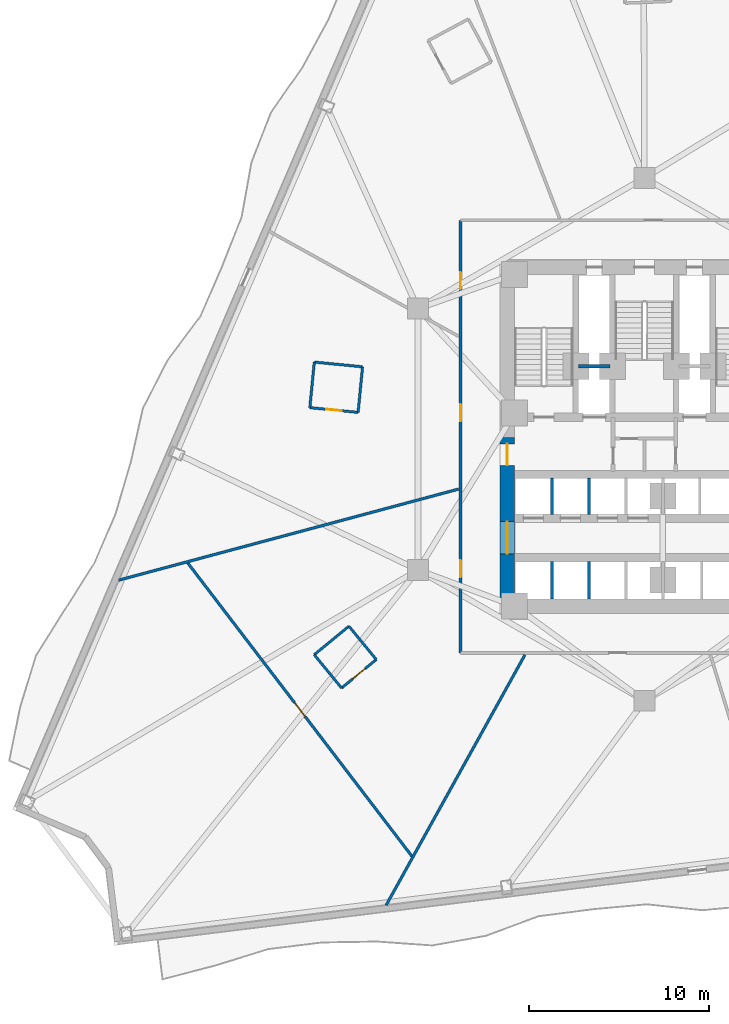
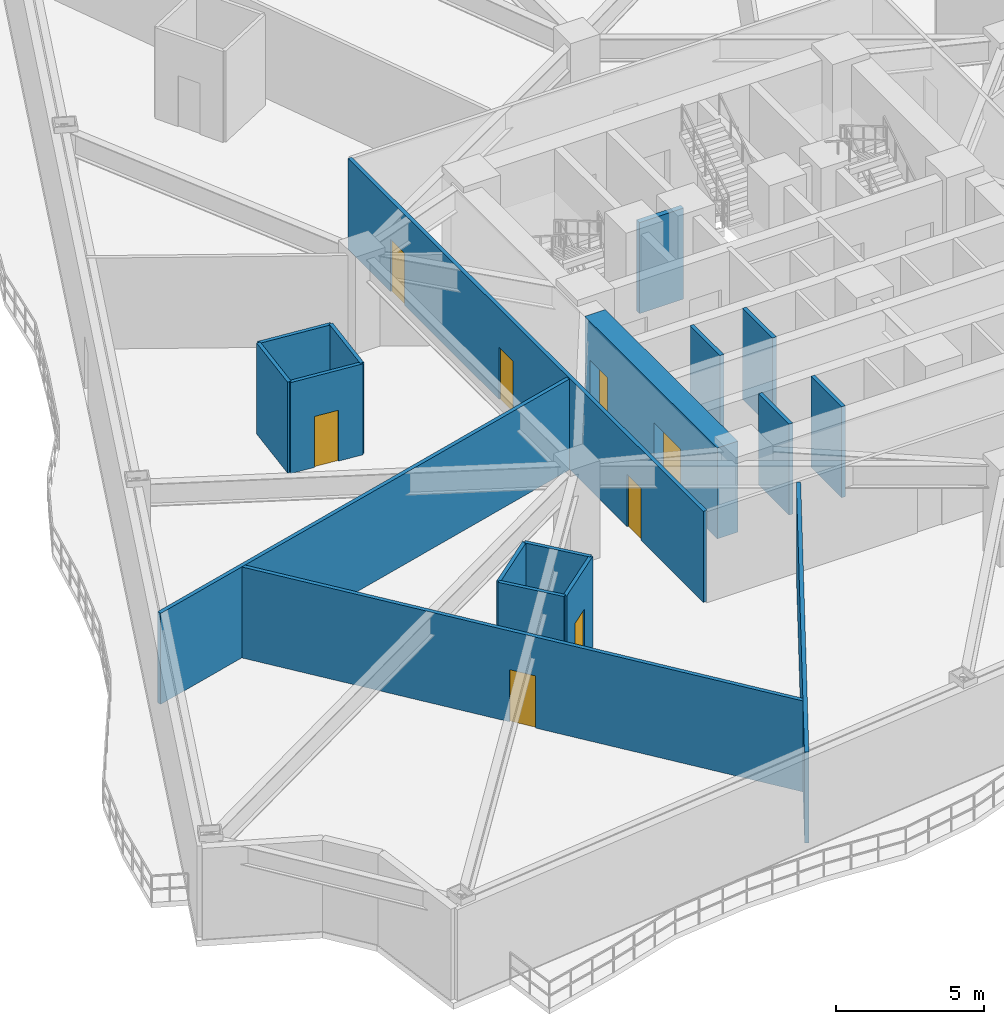
# One storey, part 3 of 12: 18 walls, 8 doors, 8 openings.
"""IFC4 building model written with IfcOpenShell, lengths in metres."""

from ifc_helpers import new_model, si_unit, direction, frame, frame_2d, origin, place, context, subcontext, project, spatial, rectangle, extrude, material, layer, layer_set, type_object, element, fill, save


model = new_model("IFC4")

# Units and contexts
model_context = context("Model", 3, precision=1e-05, world=origin(), true_north=direction((0.0, 1.0)))
body_context = subcontext(model_context, "Body", "Model", "MODEL_VIEW")
ifc_project = project(units=[si_unit("LENGTHUNIT", "METRE"), si_unit("AREAUNIT", "SQUARE_METRE"), si_unit("VOLUMEUNIT", "CUBIC_METRE"), si_unit("PLANEANGLEUNIT", "RADIAN"), si_unit("MASSUNIT", "GRAM", prefix="KILO")], contexts=[model_context])

# Site, building, storey
site_placement = place(None, origin())
site = spatial("IfcSite", under=ifc_project, at=site_placement, CompositionType="ELEMENT")
building_placement = place(site_placement, origin())
building = spatial("IfcBuilding", under=site, at=building_placement, Name="Apsidion Concourse Tower", CompositionType="ELEMENT")
storey_placement = place(building_placement, frame((0.0, 0.0, 71.0)))
storey = spatial("IfcBuildingStorey", under=building, at=storey_placement, Name="L15", CompositionType="ELEMENT", Elevation=71.0)

# Walls
ifc_material_1 = material(Name="Gypsum plasterboard partition")
ifc_layer_1 = layer(ifc_material_1, 0.139892578125)
ifc_layer_set_1 = layer_set([ifc_layer_1], Name="Gypsum plasterboard partition")
wall_type_1 = type_object("IfcWallType", Name="WL-INT-PAR-140", PredefinedType="PARTITIONING", material=ifc_layer_set_1)
wall_1_placement = place(storey_placement, frame((-16.39208984375, -10.3701171875, 0.0), z_axis=(0.0, 0.0, 1.0), x_axis=(-0.772758888186, -0.634699693342, 0.0)))
element("IfcWall", 1, at=wall_1_placement, inside=storey, type_object=wall_type_1, Name="L15 Interior Partition WL-L15-POD-HKAWC-S1", PredefinedType="PARTITIONING", context=body_context, shape_type="SweptSolid", body=[
    extrude(rectangle(XDim=2.489990234375, YDim=0.139892578125, at=frame_2d((1.2451171875, 0.0))), origin(), (0.0, 0.0, 1.0), 3.75),
])
wall_2_placement = place(storey_placement, frame((-18.316162109375, -11.950439453125, 0.0), z_axis=(0.0, 0.0, 1.0), x_axis=(0.634732888507, -0.772731622394, 0.0)))
element("IfcWall", 2, at=wall_2_placement, inside=storey, type_object=wall_type_1, Name="L15 Interior Partition WL-L15-POD-HKAWC-S2", PredefinedType="PARTITIONING", context=body_context, shape_type="SweptSolid", body=[
    extrude(rectangle(XDim=2.39013671875, YDim=0.139892578125, at=frame_2d((1.195068359375, 0.0))), origin(), (0.0, 0.0, 1.0), 3.75),
])

# Wall, opening, door
wall_3_placement = place(storey_placement, frame((-16.799072265625, -13.79736328125, 0.0), z_axis=(0.0, 0.0, 1.0), x_axis=(0.772710796724, 0.634758241085, 0.0)))
wall_3 = element("IfcWall", 3, at=wall_3_placement, inside=storey, type_object=wall_type_1, Name="L15 Interior Partition WL-L15-POD-HKAWC-S3", PredefinedType="PARTITIONING", context=body_context, shape_type="SweptSolid", body=[
    extrude(rectangle(XDim=2.489990234375, YDim=0.139892578125, at=frame_2d((1.2451171875, 0.0))), origin(), (0.0, 0.0, 1.0), 3.75),
])
opening_1_placement = place(wall_3_placement, frame((0.804931640625, 0.0, 0.0)))
opening_1 = element("IfcOpeningElement", 4, at=opening_1_placement, cuts=wall_3, Name="Opening D-03L", PredefinedType="OPENING", context=body_context, shape_type="SweptSolid", body=[
    extrude(rectangle(XDim=0.8798828125, YDim=2.10009765625, at=frame_2d((0.43994140625, 1.050048828125))), frame((0.0, 0.080078125, 0.0), z_axis=(0.0, -1.0, 0.0), x_axis=(1.0, 0.0, 0.0)), (0.0, 0.0, 1.0), 0.159912109375),
])
ifc_material_2 = material(Name="Anodised aluminium EN AW-6063 T6", Category="aluminium")
door_type_1 = type_object("IfcDoorType", Name="DR-INT-D03L", OperationType="SINGLE_SWING_LEFT", PredefinedType="DOOR", material=ifc_material_2)
door_1_placement = place(opening_1_placement, origin())
door_1 = element("IfcDoor", 5, at=door_1_placement, inside=storey, type_object=door_type_1, Name="L15 Hotel Accessible WC Door HKAWC", OperationType="SINGLE_SWING_LEFT", OverallHeight=2.10009765625, OverallWidth=0.8798828125, PredefinedType="DOOR", context=body_context, shape_type="SweptSolid", body=[
    extrude(rectangle(XDim=0.8798828125, YDim=2.10009765625, at=frame_2d((0.43994140625, 1.050048828125))), frame((0.0, 0.02490234375, 0.0), z_axis=(0.0, -1.0, 0.0), x_axis=(1.0, 0.0, 0.0)), (0.0, 0.0, 1.0), 0.050048828125),
])
fill(opening_1, door_1)

# Walls
wall_4_placement = place(storey_placement, frame((-14.875, -12.216796875, 0.0), z_axis=(0.0, 0.0, 1.0), x_axis=(-0.634782991325, 0.772690464497, 0.0)))
element("IfcWall", 6, at=wall_4_placement, inside=storey, type_object=wall_type_1, Name="L15 Interior Partition WL-L15-POD-HKAWC-S4", PredefinedType="PARTITIONING", context=body_context, shape_type="SweptSolid", body=[
    extrude(rectangle(XDim=2.389892578125, YDim=0.139892578125, at=frame_2d((1.19482421875, 0.0))), origin(), (0.0, 0.0, 1.0), 3.75),
])
wall_5_placement = place(storey_placement, frame((-15.63525390625, 4.02099609375, 0.0), z_axis=(0.0, 0.0, 1.0), x_axis=(-0.99521970741, 0.097661322861, 0.0)))
element("IfcWall", 7, at=wall_5_placement, inside=storey, type_object=wall_type_1, Name="L15 Interior Partition WL-L15-POD-ENS09-S1", PredefinedType="PARTITIONING", context=body_context, shape_type="SweptSolid", body=[
    extrude(rectangle(XDim=2.68994140625, YDim=0.139892578125, at=frame_2d((1.344970703125, 0.0))), origin(), (0.0, 0.0, 1.0), 3.75),
])
wall_6_placement = place(storey_placement, frame((-18.312255859375, 4.28369140625, 0.0), z_axis=(0.0, 0.0, 1.0), x_axis=(-0.09764795322, -0.995221019288, 0.0)))
element("IfcWall", 8, at=wall_6_placement, inside=storey, type_object=wall_type_1, Name="L15 Interior Partition WL-L15-POD-ENS09-S2", PredefinedType="PARTITIONING", context=body_context, shape_type="SweptSolid", body=[
    extrude(rectangle(XDim=2.540283203125, YDim=0.139892578125, at=frame_2d((1.27001953125, 0.0))), origin(), (0.0, 0.0, 1.0), 3.75),
])

# Wall, opening, door
wall_7_placement = place(storey_placement, frame((-18.560302734375, 1.755615234375, 0.0), z_axis=(0.0, 0.0, 1.0), x_axis=(0.995229389094, -0.097562611096, 0.0)))
wall_7 = element("IfcWall", 9, at=wall_7_placement, inside=storey, type_object=wall_type_1, Name="L15 Interior Partition WL-L15-POD-ENS09-S3", PredefinedType="PARTITIONING", context=body_context, shape_type="SweptSolid", body=[
    extrude(rectangle(XDim=2.690185546875, YDim=0.139892578125, at=frame_2d((1.34521484375, 0.0))), origin(), (0.0, 0.0, 1.0), 3.75),
])
opening_2_placement = place(wall_7_placement, frame((0.905029296875, 0.0, 0.0)))
opening_2 = element("IfcOpeningElement", 10, at=opening_2_placement, cuts=wall_7, Name="Opening D-03R", PredefinedType="OPENING", context=body_context, shape_type="SweptSolid", body=[
    extrude(rectangle(XDim=0.8798828125, YDim=2.10009765625, at=frame_2d((0.43994140625, 1.050048828125))), frame((0.0, 0.080078125, 0.0), z_axis=(0.0, -1.0, 0.0), x_axis=(1.0, 0.0, 0.0)), (0.0, 0.0, 1.0), 0.159912109375),
])
door_type_2 = type_object("IfcDoorType", Name="DR-INT-D03R", OperationType="SINGLE_SWING_RIGHT", PredefinedType="DOOR", material=ifc_material_2)
door_2_placement = place(opening_2_placement, origin())
door_2 = element("IfcDoor", 11, at=door_2_placement, inside=storey, type_object=door_type_2, Name="L15 Guest En-Suite Bathroom Door ENS09", OperationType="SINGLE_SWING_RIGHT", OverallHeight=2.10009765625, OverallWidth=0.8798828125, PredefinedType="DOOR", context=body_context, shape_type="SweptSolid", body=[
    extrude(rectangle(XDim=0.8798828125, YDim=2.10009765625, at=frame_2d((0.43994140625, 1.050048828125))), frame((0.0, 0.02490234375, 0.0), z_axis=(0.0, -1.0, 0.0), x_axis=(1.0, 0.0, 0.0)), (0.0, 0.0, 1.0), 0.050048828125),
])
fill(opening_2, door_2)

# Walls
wall_8_placement = place(storey_placement, frame((-15.883056640625, 1.4931640625, 0.0), z_axis=(0.0, 0.0, 1.0), x_axis=(0.097562090184, 0.995229440159, 0.0)))
element("IfcWall", 12, at=wall_8_placement, inside=storey, type_object=wall_type_1, Name="L15 Interior Partition WL-L15-POD-ENS09-S4", PredefinedType="PARTITIONING", context=body_context, shape_type="SweptSolid", body=[
    extrude(rectangle(XDim=2.5400390625, YDim=0.139892578125, at=frame_2d((1.27001953125, 0.0))), origin(), (0.0, 0.0, 1.0), 3.75),
])
ifc_layer_2 = layer(ifc_material_1, 0.14990234375)
ifc_layer_set_2 = layer_set([ifc_layer_2], Name="Gypsum plasterboard partition")
wall_type_2 = type_object("IfcWallType", Name="WL-INT-PAR-150", PredefinedType="PARTITIONING", material=ifc_layer_set_2)
for number, where, z_axis, x_axis, name in (
    (13, (-5.125, -4.179931640625, 0.0), (0.0, 0.0, 1.0), (0.0, 1.0, 0.0), "L15 Interior Partition WL-L15-B1DIV-1"),
    (14, (-3.074951171875, -4.179931640625, 0.0), (0.0, 0.0, 1.0), (0.0, 1.0, 0.0), "L15 Interior Partition WL-L15-B1DIV-2"),
):
    element("IfcWall", number, at=place(storey_placement, frame(where, z_axis=z_axis, x_axis=x_axis)), inside=storey, type_object=wall_type_2, Name=name, PredefinedType="PARTITIONING", context=body_context, shape_type="SweptSolid", body=[
        extrude(rectangle(XDim=2.030029296875, YDim=0.14990234375, at=frame_2d((1.01513671875, 0.0))), origin(), (0.0, 0.0, 1.0), 3.75),
    ])
for number, where, z_axis, x_axis, name in (
    (15, (-5.125, -8.85009765625, 0.0), (0.0, 0.0, 1.0), (0.0, 1.0, 0.0), "L15 Interior Partition WL-L15-B2DIV-1"),
    (16, (-3.074951171875, -8.85009765625, 0.0), (0.0, 0.0, 1.0), (0.0, 1.0, 0.0), "L15 Interior Partition WL-L15-B2DIV-2"),
):
    element("IfcWall", number, at=place(storey_placement, frame(where, z_axis=z_axis, x_axis=x_axis)), inside=storey, type_object=wall_type_2, Name=name, PredefinedType="PARTITIONING", context=body_context, shape_type="SweptSolid", body=[
        extrude(rectangle(XDim=2.080078125, YDim=0.14990234375, at=frame_2d((1.0400390625, 0.0))), origin(), (0.0, 0.0, 1.0), 3.75),
    ])

# Wall, openings, doors
wall_9_placement = place(storey_placement, frame((-10.199951171875, -11.85009765625, 0.0), z_axis=(0.0, 0.0, 1.0), x_axis=(0.0, 1.0, 0.0)))
wall_9 = element("IfcWall", 17, at=wall_9_placement, inside=storey, type_object=wall_type_2, Name="L15 Interior Partition WL-L15-CORR-04", PredefinedType="PARTITIONING", context=body_context, shape_type="SweptSolid", body=[
    extrude(rectangle(XDim=24.0, YDim=0.14990234375, at=frame_2d((12.0, 0.0))), origin(), (0.0, 0.0, 1.0), 3.75),
])
opening_3_placement = place(wall_9_placement, frame((4.2001953125, 0.0, 0.0)))
opening_3 = element("IfcOpeningElement", 18, at=opening_3_placement, cuts=wall_9, Name="Opening D-01L", PredefinedType="OPENING", context=body_context, shape_type="SweptSolid", body=[
    extrude(rectangle(XDim=0.949951171875, YDim=2.14990234375, at=frame_2d((0.47509765625, 1.074951171875))), frame((0.0, 0.0849609375, 0.0), z_axis=(0.0, -1.0, 0.0), x_axis=(1.0, 0.0, 0.0)), (0.0, 0.0, 1.0), 0.169921875),
])
opening_4_placement = place(wall_9_placement, frame((20.177001953125, 0.0, 0.0)))
opening_4 = element("IfcOpeningElement", 19, at=opening_4_placement, cuts=wall_9, Name="Opening D-01L", PredefinedType="OPENING", context=body_context, shape_type="SweptSolid", body=[
    extrude(rectangle(XDim=0.949951171875, YDim=2.14990234375, at=frame_2d((0.47509765625, 1.074951171875))), frame((0.0, 0.0849609375, 0.0), z_axis=(0.0, -1.0, 0.0), x_axis=(1.0, 0.0, 0.0)), (0.0, 0.0, 1.0), 0.169921875),
])
opening_5_placement = place(wall_9_placement, frame((12.849853515625, 0.0, 0.0)))
opening_5 = element("IfcOpeningElement", 20, at=opening_5_placement, cuts=wall_9, Name="Opening D-01R", PredefinedType="OPENING", context=body_context, shape_type="SweptSolid", body=[
    extrude(rectangle(XDim=0.949951171875, YDim=2.14990234375, at=frame_2d((0.47509765625, 1.074951171875))), frame((0.0, 0.0849609375, 0.0), z_axis=(0.0, -1.0, 0.0), x_axis=(1.0, 0.0, 0.0)), (0.0, 0.0, 1.0), 0.169921875),
])
ifc_material_3 = material(Name="Brushed stainless steel 316", Category="steel")
door_type_3 = type_object("IfcDoorType", Name="DR-INT-D01L", OperationType="SINGLE_SWING_LEFT", PredefinedType="DOOR", material=ifc_material_3)
door_3_placement = place(opening_3_placement, origin())
door_3 = element("IfcDoor", 21, at=door_3_placement, inside=storey, type_object=door_type_3, Name="L15 Corridor Entry Door 01", OperationType="SINGLE_SWING_LEFT", OverallHeight=2.14990234375, OverallWidth=0.949951171875, PredefinedType="DOOR", context=body_context, shape_type="SweptSolid", body=[
    extrude(rectangle(XDim=0.949951171875, YDim=2.14990234375, at=frame_2d((0.47509765625, 1.074951171875))), frame((0.0, 0.02490234375, 0.0), z_axis=(0.0, -1.0, 0.0), x_axis=(1.0, 0.0, 0.0)), (0.0, 0.0, 1.0), 0.050048828125),
])
fill(opening_3, door_3)
door_4_placement = place(opening_4_placement, origin())
door_4 = element("IfcDoor", 22, at=door_4_placement, inside=storey, type_object=door_type_3, Name="L15 Corridor Entry Door 09", OperationType="SINGLE_SWING_LEFT", OverallHeight=2.14990234375, OverallWidth=0.949951171875, PredefinedType="DOOR", context=body_context, shape_type="SweptSolid", body=[
    extrude(rectangle(XDim=0.949951171875, YDim=2.14990234375, at=frame_2d((0.47509765625, 1.074951171875))), frame((0.0, 0.02490234375, 0.0), z_axis=(0.0, -1.0, 0.0), x_axis=(1.0, 0.0, 0.0)), (0.0, 0.0, 1.0), 0.050048828125),
])
fill(opening_4, door_4)
door_type_4 = type_object("IfcDoorType", Name="DR-INT-D01R", OperationType="SINGLE_SWING_RIGHT", PredefinedType="DOOR", material=ifc_material_3)
door_5_placement = place(opening_5_placement, origin())
door_5 = element("IfcDoor", 23, at=door_5_placement, inside=storey, type_object=door_type_4, Name="L15 Corridor Entry Door 10", OperationType="SINGLE_SWING_RIGHT", OverallHeight=2.14990234375, OverallWidth=0.949951171875, PredefinedType="DOOR", context=body_context, shape_type="SweptSolid", body=[
    extrude(rectangle(XDim=0.949951171875, YDim=2.14990234375, at=frame_2d((0.47509765625, 1.074951171875))), frame((0.0, 0.02490234375, 0.0), z_axis=(0.0, -1.0, 0.0), x_axis=(1.0, 0.0, 0.0)), (0.0, 0.0, 1.0), 0.050048828125),
])
fill(opening_5, door_5)

# Walls
wall_10_placement = place(storey_placement, frame((-10.304931640625, -2.76123046875, 0.0), z_axis=(0.0, 0.0, 1.0), x_axis=(-0.965924834834, -0.258822745235, 0.0)))
element("IfcWall", 24, at=wall_10_placement, inside=storey, type_object=wall_type_2, Name="L15 Interior Partition WL-L15-RAD-05-1", PredefinedType="PARTITIONING", context=body_context, shape_type="SweptSolid", body=[
    extrude(rectangle(XDim=19.526611328125, YDim=0.14990234375, at=frame_2d((9.76318359375, 0.0))), origin(), (0.0, 0.0, 1.0), 3.75),
])
wall_11_placement = place(storey_placement, frame((-6.626708984375, -11.955078125, 0.0), z_axis=(0.0, 0.0, 1.0), x_axis=(-0.484820870794, -0.874613470764, 0.0)))
element("IfcWall", 25, at=wall_11_placement, inside=storey, type_object=wall_type_2, Name="L15 Interior Partition WL-L15-RAD-06-1", PredefinedType="PARTITIONING", context=body_context, shape_type="SweptSolid", body=[
    extrude(rectangle(XDim=15.89013671875, YDim=0.14990234375, at=frame_2d((7.945068359375, 0.0))), origin(), (0.0, 0.0, 1.0), 3.75),
])

# Wall, opening, door
wall_12_placement = place(storey_placement, frame((-25.3623046875, -6.82177734375, 0.0), z_axis=(0.0, 0.0, 1.0), x_axis=(0.607270366284, -0.794495249975, 0.0)))
wall_12 = element("IfcWall", 26, at=wall_12_placement, inside=storey, type_object=wall_type_2, Name="L15 Interior Partition WL-L15-CHD-HKWC", PredefinedType="PARTITIONING", context=body_context, shape_type="SweptSolid", body=[
    extrude(rectangle(XDim=20.57177734375, YDim=0.14990234375, at=frame_2d((10.285888671875, 0.0))), origin(), (0.0, 0.0, 1.0), 3.75),
])
opening_6_placement = place(wall_12_placement, frame((9.81103515625, 0.0, 0.0)))
opening_6 = element("IfcOpeningElement", 27, at=opening_6_placement, cuts=wall_12, Name="Opening D-04R", PredefinedType="OPENING", context=body_context, shape_type="SweptSolid", body=[
    extrude(rectangle(XDim=0.949951171875, YDim=2.14990234375, at=frame_2d((0.47509765625, 1.074951171875))), frame((0.0, 0.0849609375, 0.0), z_axis=(0.0, -1.0, 0.0), x_axis=(1.0, 0.0, 0.0)), (0.0, 0.0, 1.0), 0.169921875),
])
door_type_5 = type_object("IfcDoorType", Name="DR-INT-D04R", OperationType="SINGLE_SWING_RIGHT", PredefinedType="DOOR", material=ifc_material_3)
door_6_placement = place(opening_6_placement, origin())
door_6 = element("IfcDoor", 28, at=door_6_placement, inside=storey, type_object=door_type_5, Name="L15 Suite Connecting Door HKWC", OperationType="SINGLE_SWING_RIGHT", OverallHeight=2.14990234375, OverallWidth=0.949951171875, PredefinedType="DOOR", context=body_context, shape_type="SweptSolid", body=[
    extrude(rectangle(XDim=0.949951171875, YDim=2.14990234375, at=frame_2d((0.47509765625, 1.074951171875))), frame((0.0, 0.02490234375, 0.0), z_axis=(0.0, -1.0, 0.0), x_axis=(1.0, 0.0, 0.0)), (0.0, 0.0, 1.0), 0.050048828125),
])
fill(opening_6, door_6)

# Wall
ifc_layer_3 = layer(ifc_material_1, 0.199951171875)
ifc_layer_set_3 = layer_set([ifc_layer_3], Name="Gypsum plasterboard partition")
wall_type_3 = type_object("IfcWallType", Name="WL-INT-PAR-200", PredefinedType="PARTITIONING", material=ifc_layer_set_3)
wall_13_placement = place(storey_placement, frame((-3.64990234375, 4.050048828125, 0.0), z_axis=(0.0, 0.0, 1.0), x_axis=(1.0, 0.0, 0.0)))
element("IfcWall", 29, at=wall_13_placement, inside=storey, type_object=wall_type_3, Name="L15 Interior Partition WL-L15-FF1-N", PredefinedType="PARTITIONING", context=body_context, shape_type="SweptSolid", body=[
    extrude(rectangle(XDim=1.72998046875, YDim=0.199951171875, at=frame_2d((0.864990234375, 0.0))), origin(), (0.0, 0.0, 1.0), 3.75),
])

# Wall, openings, doors
ifc_material_4 = material(Name="Concrete C60/75", Category="concrete")
ifc_layer_4 = layer(ifc_material_4, 0.800048828125)
ifc_layer_set_4 = layer_set([ifc_layer_4], Name="Concrete C60/75")
wall_type_4 = type_object("IfcWallType", Name="WL-SH-800", PredefinedType="SHEAR", material=ifc_layer_set_4)
wall_14_placement = place(storey_placement, frame((-7.60009765625, -8.85009765625, 0.0), z_axis=(0.0, 0.0, 1.0), x_axis=(0.0, 1.0, 0.0)))
wall_14 = element("IfcWall", 30, at=wall_14_placement, inside=storey, type_object=wall_type_4, Name="L15 Central Core Shear Wall WS", PredefinedType="SHEAR", context=body_context, shape_type="SweptSolid", body=[
    extrude(rectangle(XDim=8.9501953125, YDim=0.800048828125, at=frame_2d((4.47509765625, 0.0))), origin(), (0.0, 0.0, 1.0), 3.75),
])
opening_7_placement = place(wall_14_placement, frame((2.489990234375, 0.0, 0.0)))
opening_7 = element("IfcOpeningElement", 31, at=opening_7_placement, cuts=wall_14, Name="Opening D-06D", PredefinedType="OPENING", context=body_context, shape_type="SweptSolid", body=[
    extrude(rectangle(XDim=1.800048828125, YDim=2.199951171875, at=frame_2d((0.89990234375, 1.10009765625))), frame((0.0, 0.41015625, 0.0), z_axis=(0.0, -1.0, 0.0), x_axis=(1.0, 0.0, 0.0)), (0.0, 0.0, 1.0), 0.820068359375),
])
opening_8_placement = place(wall_14_placement, frame((7.39990234375, 0.0, 0.0)))
opening_8 = element("IfcOpeningElement", 32, at=opening_8_placement, cuts=wall_14, Name="Opening D-FFL", PredefinedType="OPENING", context=body_context, shape_type="SweptSolid", body=[
    extrude(rectangle(XDim=1.199951171875, YDim=2.14990234375, at=frame_2d((0.60009765625, 1.074951171875))), frame((0.0, 0.41015625, 0.0), z_axis=(0.0, -1.0, 0.0), x_axis=(1.0, 0.0, 0.0)), (0.0, 0.0, 1.0), 0.820068359375),
])
door_type_6 = type_object("IfcDoorType", Name="DR-INT-D06D", OperationType="DOUBLE_DOOR_SINGLE_SWING", PredefinedType="DOOR", material=ifc_material_3)
door_7_placement = place(opening_7_placement, origin())
door_7 = element("IfcDoor", 33, at=door_7_placement, inside=storey, type_object=door_type_6, Name="L15 Passenger Lift Lobby WS Portal Door", OperationType="DOUBLE_DOOR_SINGLE_SWING", OverallHeight=2.199951171875, OverallWidth=1.800048828125, PredefinedType="DOOR", context=body_context, shape_type="SweptSolid", body=[
    extrude(rectangle(XDim=1.800048828125, YDim=2.199951171875, at=frame_2d((0.89990234375, 1.10009765625))), frame((0.0, 0.02490234375, 0.0), z_axis=(0.0, -1.0, 0.0), x_axis=(1.0, 0.0, 0.0)), (0.0, 0.0, 1.0), 0.050048828125),
])
fill(opening_7, door_7)
door_type_7 = type_object("IfcDoorType", Name="DR-INT-FFL", OperationType="SINGLE_SWING_LEFT", PredefinedType="DOOR", material=ifc_material_3)
door_8_placement = place(opening_8_placement, origin())
door_8 = element("IfcDoor", 34, at=door_8_placement, inside=storey, type_object=door_type_7, Name="L15 Firefighting Lift Lobby FF1 Door", OperationType="SINGLE_SWING_LEFT", OverallHeight=2.14990234375, OverallWidth=1.199951171875, PredefinedType="DOOR", context=body_context, shape_type="SweptSolid", body=[
    extrude(rectangle(XDim=1.199951171875, YDim=2.14990234375, at=frame_2d((0.60009765625, 1.074951171875))), frame((0.0, 0.02490234375, 0.0), z_axis=(0.0, -1.0, 0.0), x_axis=(1.0, 0.0, 0.0)), (0.0, 0.0, 1.0), 0.050048828125),
])
fill(opening_8, door_8)

save(model, "model.ifc")
